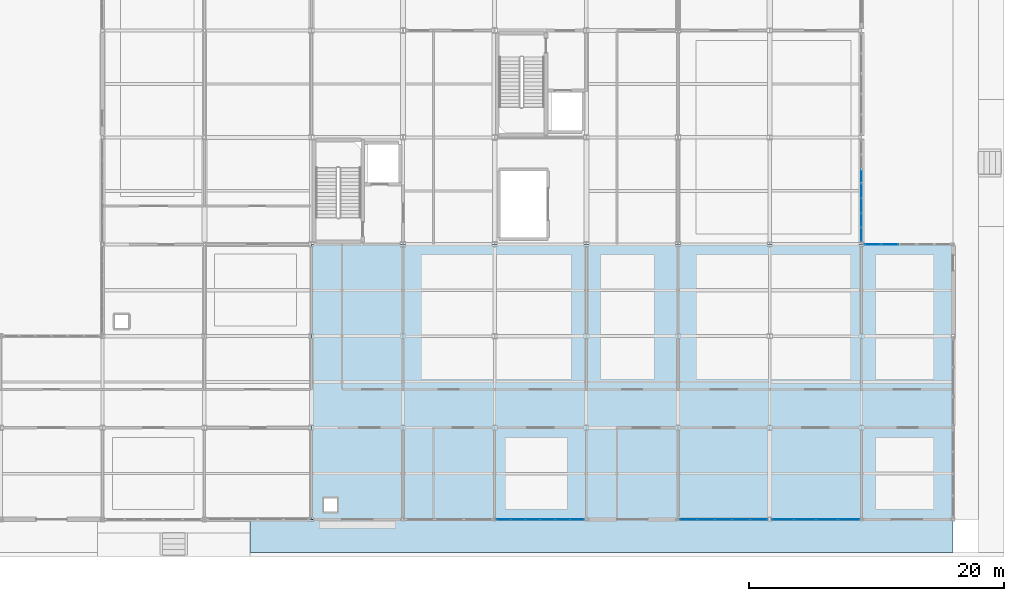
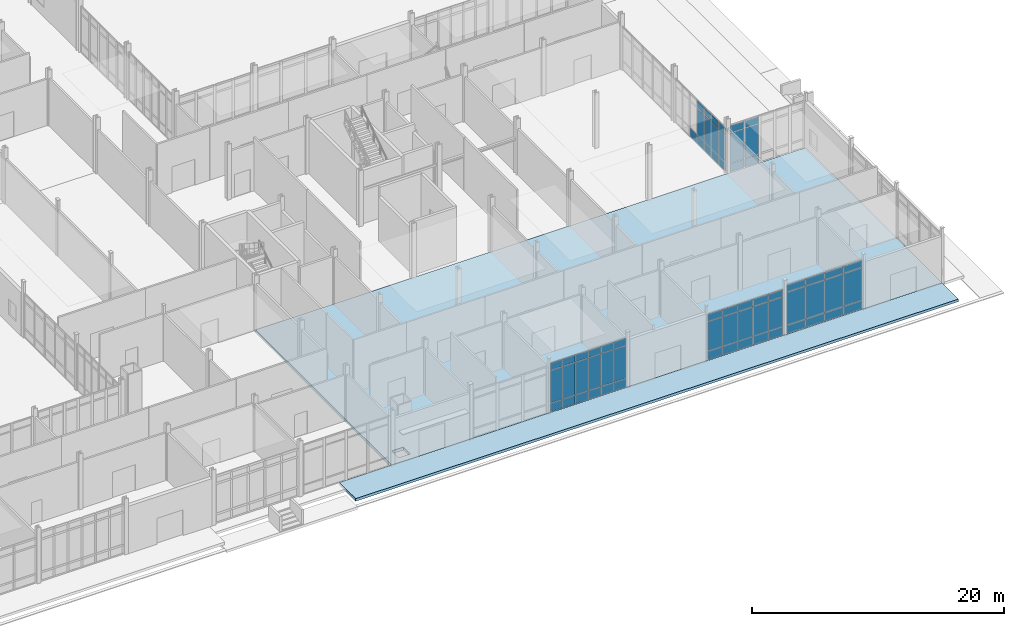
# One storey, part 154 of 229: 64 plates, 2 slabs, 5 elements without a shape of their own.
"""IFC4 building model written with IfcOpenShell, lengths in metres."""

from ifc_helpers import new_model, si_unit, direction, frame, origin, origin_2d, place, context, subcontext, project, spatial, polyline, rectangle, outline, extrude, material, layer, layer_set, type_object, element, aggregate, save


model = new_model("IFC4")

# Units and contexts
model_context = context("Model", 3, precision=1e-05, world=origin(), true_north=direction((0.0, 1.0)))
body_context = subcontext(model_context, "Body", "Model", "MODEL_VIEW")
ifc_project = project(units=[si_unit("LENGTHUNIT", "METRE"), si_unit("AREAUNIT", "SQUARE_METRE"), si_unit("VOLUMEUNIT", "CUBIC_METRE"), si_unit("PLANEANGLEUNIT", "RADIAN"), si_unit("MASSUNIT", "GRAM", prefix="KILO")], contexts=[model_context])

# Site, building, storey
site_placement = place(None, origin())
site = spatial("IfcSite", under=ifc_project, at=site_placement, CompositionType="ELEMENT")
building_placement = place(site_placement, origin())
building = spatial("IfcBuilding", under=site, at=building_placement, Name="Calvrana Isthmian Art Gallery", CompositionType="ELEMENT")
storey_placement = place(building_placement, origin())
storey = spatial("IfcBuildingStorey", under=building, at=storey_placement, Name="L00", CompositionType="ELEMENT", Elevation=0.0)

# Curtain wall, plates
ifc_material_1 = material(Name="Anodized bronze aluminium 6063-T6", Category="aluminium")
ifc_layer_1 = layer(ifc_material_1, 0.179931640625, Name="Anodized bronze aluminium 6063-T6")
ifc_layer_set_1 = layer_set([ifc_layer_1], Name="Anodized bronze aluminium 6063-T6")
curtain_wall_type_1 = type_object("IfcCurtainWallType", Name="CW-STICK-080X43", PredefinedType="NOTDEFINED", material=ifc_layer_set_1)
curtain_wall_1_placement = place(storey_placement, origin())
curtain_wall_1 = element("IfcCurtainWall", 1, at=curtain_wall_1_placement, inside=storey, type_object=curtain_wall_type_1, Name="Curtain wall CW-080", PredefinedType="NOTDEFINED")
ifc_material_2 = material(Name="Polychrome glazed terracotta", Category="masonry")
ifc_layer_2 = layer(ifc_material_2, 0.033935546875, Name="Polychrome glazed terracotta")
ifc_layer_set_2 = layer_set([ifc_layer_2], Name="Polychrome glazed terracotta")
plate_type_1 = type_object("IfcPlateType", Name="CWP-SPANDREL-34", PredefinedType="CURTAIN_PANEL", material=ifc_layer_set_2)
plate_1_placement = place(storey_placement, frame((156.0, 26.94677734375, 0.06005859375), z_axis=(0.0, 0.0, 1.0), x_axis=(0.0, -1.0, 0.0)))
plate_1 = element("IfcPlate", 2, at=plate_1_placement, type_object=plate_type_1, Name="CW-080 panel 3.1", PredefinedType="CURTAIN_PANEL", context=body_context, shape_type="SweptSolid", body=[
    extrude(rectangle(XDim=1.083740234375, YDim=0.033935546875, at=origin_2d()), origin(), (0.0, 0.0, 1.0), 0.81005859375),
])
plate_2_placement = place(storey_placement, frame((156.0, 25.79833984375, 0.06005859375), z_axis=(0.0, 0.0, 1.0), x_axis=(0.0, -1.0, 0.0)))
plate_2 = element("IfcPlate", 3, at=plate_2_placement, type_object=plate_type_1, Name="CW-080 panel 4.1", PredefinedType="CURTAIN_PANEL", context=body_context, shape_type="SweptSolid", body=[
    extrude(rectangle(XDim=1.083740234375, YDim=0.033935546875, at=origin_2d()), origin(), (0.0, 0.0, 1.0), 0.81005859375),
])
plate_3_placement = place(storey_placement, frame((156.0, 25.79833984375, 0.93017578125), z_axis=(0.0, 0.0, 1.0), x_axis=(0.0, -1.0, 0.0)))
plate_3 = element("IfcPlate", 4, at=plate_3_placement, type_object=plate_type_1, Name="CW-080 panel 4.2", PredefinedType="CURTAIN_PANEL", context=body_context, shape_type="SweptSolid", body=[
    extrude(rectangle(XDim=1.083740234375, YDim=0.033935546875, at=origin_2d()), origin(), (0.0, 0.0, 1.0), 2.573974609375),
])
plate_4_placement = place(storey_placement, frame((156.0, 25.79833984375, 3.56396484375), z_axis=(0.0, 0.0, 1.0), x_axis=(0.0, -1.0, 0.0)))
plate_4 = element("IfcPlate", 5, at=plate_4_placement, type_object=plate_type_1, Name="CW-080 panel 4.3", PredefinedType="CURTAIN_PANEL", context=body_context, shape_type="SweptSolid", body=[
    extrude(rectangle(XDim=1.083740234375, YDim=0.033935546875, at=origin_2d()), origin(), (0.0, 0.0, 1.0), 0.659912109375),
])
plate_5_placement = place(storey_placement, frame((156.0, 24.649658203125, 0.06005859375), z_axis=(0.0, 0.0, 1.0), x_axis=(0.0, -1.0, 0.0)))
plate_5 = element("IfcPlate", 6, at=plate_5_placement, type_object=plate_type_1, Name="CW-080 panel 5.1", PredefinedType="CURTAIN_PANEL", context=body_context, shape_type="SweptSolid", body=[
    extrude(rectangle(XDim=1.083740234375, YDim=0.033935546875, at=origin_2d()), origin(), (0.0, 0.0, 1.0), 0.81005859375),
])
plate_6_placement = place(storey_placement, frame((156.0, 24.649658203125, 0.93017578125), z_axis=(0.0, 0.0, 1.0), x_axis=(0.0, -1.0, 0.0)))
plate_6 = element("IfcPlate", 7, at=plate_6_placement, type_object=plate_type_1, Name="CW-080 panel 5.2", PredefinedType="CURTAIN_PANEL", context=body_context, shape_type="SweptSolid", body=[
    extrude(rectangle(XDim=1.083740234375, YDim=0.033935546875, at=origin_2d()), origin(), (0.0, 0.0, 1.0), 2.573974609375),
])
plate_7_placement = place(storey_placement, frame((156.0, 24.649658203125, 3.56396484375), z_axis=(0.0, 0.0, 1.0), x_axis=(0.0, -1.0, 0.0)))
plate_7 = element("IfcPlate", 8, at=plate_7_placement, type_object=plate_type_1, Name="CW-080 panel 5.3", PredefinedType="CURTAIN_PANEL", context=body_context, shape_type="SweptSolid", body=[
    extrude(rectangle(XDim=1.083740234375, YDim=0.033935546875, at=origin_2d()), origin(), (0.0, 0.0, 1.0), 0.659912109375),
])
plate_8_placement = place(storey_placement, frame((156.0, 23.5009765625, 0.06005859375), z_axis=(0.0, 0.0, 1.0), x_axis=(0.0, -1.0, 0.0)))
plate_8 = element("IfcPlate", 9, at=plate_8_placement, type_object=plate_type_1, Name="CW-080 panel 6.1", PredefinedType="CURTAIN_PANEL", context=body_context, shape_type="SweptSolid", body=[
    extrude(rectangle(XDim=1.083740234375, YDim=0.033935546875, at=origin_2d()), origin(), (0.0, 0.0, 1.0), 0.81005859375),
])
plate_9_placement = place(storey_placement, frame((156.0, 23.5009765625, 0.93017578125), z_axis=(0.0, 0.0, 1.0), x_axis=(0.0, -1.0, 0.0)))
plate_9 = element("IfcPlate", 10, at=plate_9_placement, type_object=plate_type_1, Name="CW-080 panel 6.2", PredefinedType="CURTAIN_PANEL", context=body_context, shape_type="SweptSolid", body=[
    extrude(rectangle(XDim=1.083740234375, YDim=0.033935546875, at=origin_2d()), origin(), (0.0, 0.0, 1.0), 2.573974609375),
])
plate_10_placement = place(storey_placement, frame((156.0, 23.5009765625, 3.56396484375), z_axis=(0.0, 0.0, 1.0), x_axis=(0.0, -1.0, 0.0)))
plate_10 = element("IfcPlate", 11, at=plate_10_placement, type_object=plate_type_1, Name="CW-080 panel 6.3", PredefinedType="CURTAIN_PANEL", context=body_context, shape_type="SweptSolid", body=[
    extrude(rectangle(XDim=1.083740234375, YDim=0.033935546875, at=origin_2d()), origin(), (0.0, 0.0, 1.0), 0.659912109375),
])
plate_11_placement = place(storey_placement, frame((156.0, 22.36865234375, 0.06005859375), z_axis=(0.0, 0.0, 1.0), x_axis=(0.0, -1.0, 0.0)))
plate_11 = element("IfcPlate", 12, at=plate_11_placement, type_object=plate_type_1, Name="CW-080 panel 7.1", PredefinedType="CURTAIN_PANEL", context=body_context, shape_type="SweptSolid", body=[
    extrude(rectangle(XDim=1.051025390625, YDim=0.033935546875, at=origin_2d()), origin(), (0.0, 0.0, 1.0), 0.81005859375),
])
plate_12_placement = place(storey_placement, frame((156.0, 22.36865234375, 0.93017578125), z_axis=(0.0, 0.0, 1.0), x_axis=(0.0, -1.0, 0.0)))
plate_12 = element("IfcPlate", 13, at=plate_12_placement, type_object=plate_type_1, Name="CW-080 panel 7.2", PredefinedType="CURTAIN_PANEL", context=body_context, shape_type="SweptSolid", body=[
    extrude(rectangle(XDim=1.051025390625, YDim=0.033935546875, at=origin_2d()), origin(), (0.0, 0.0, 1.0), 2.573974609375),
])
plate_13_placement = place(storey_placement, frame((156.0, 22.36865234375, 3.56396484375), z_axis=(0.0, 0.0, 1.0), x_axis=(0.0, -1.0, 0.0)))
plate_13 = element("IfcPlate", 14, at=plate_13_placement, type_object=plate_type_1, Name="CW-080 panel 7.3", PredefinedType="CURTAIN_PANEL", context=body_context, shape_type="SweptSolid", body=[
    extrude(rectangle(XDim=1.051025390625, YDim=0.033935546875, at=origin_2d()), origin(), (0.0, 0.0, 1.0), 0.659912109375),
])
aggregate(curtain_wall_1, [plate_1, plate_2, plate_3, plate_4, plate_5, plate_6, plate_7, plate_8, plate_9, plate_10, plate_11, plate_12, plate_13])

ifc_layer_3 = layer(ifc_material_1, 0.179931640625, Name="Anodized bronze aluminium 6063-T6")
ifc_layer_set_3 = layer_set([ifc_layer_3], Name="Anodized bronze aluminium 6063-T6")
curtain_wall_type_2 = type_object("IfcCurtainWallType", Name="CW-UNIT-070X48", PredefinedType="USERDEFINED", material=ifc_layer_set_3)
curtain_wall_2_placement = place(storey_placement, origin())
curtain_wall_2 = element("IfcCurtainWall", 15, at=curtain_wall_2_placement, inside=storey, type_object=curtain_wall_type_2, Name="Curtain wall CW-012", ObjectType="UNITISED CURTAIN WALL", PredefinedType="USERDEFINED")
ifc_material_3 = material(Name="Low-E laminated solar glass", Category="glass")
ifc_layer_4 = layer(ifc_material_3, 0.028076171875, Name="Low-E laminated solar glass")
ifc_layer_set_4 = layer_set([ifc_layer_4], Name="Low-E laminated solar glass")
plate_type_2 = type_object("IfcPlateType", Name="CWP-VISION-28", PredefinedType="CURTAIN_PANEL", material=ifc_layer_set_4)
plate_14_placement = place(storey_placement, frame((133.677001953125, 0.0, 0.06494140625), z_axis=(0.0, 0.0, 1.0), x_axis=(-1.0, 0.0, 0.0)))
plate_14 = element("IfcPlate", 16, at=plate_14_placement, type_object=plate_type_2, Name="CW-012 panel 1.1", PredefinedType="CURTAIN_PANEL", context=body_context, shape_type="SweptSolid", body=[
    extrude(rectangle(XDim=1.072021484375, YDim=0.028076171875, at=origin_2d()), origin(), (0.0, 0.0, 1.0), 0.802490234375),
])
plate_15_placement = place(storey_placement, frame((133.677001953125, 0.0, 0.9326171875), z_axis=(0.0, 0.0, 1.0), x_axis=(-1.0, 0.0, 0.0)))
plate_15 = element("IfcPlate", 17, at=plate_15_placement, type_object=plate_type_2, Name="CW-012 panel 1.2", PredefinedType="CURTAIN_PANEL", context=body_context, shape_type="SweptSolid", body=[
    extrude(rectangle(XDim=1.072021484375, YDim=0.028076171875, at=origin_2d()), origin(), (0.0, 0.0, 1.0), 3.1201171875),
])
plate_16_placement = place(storey_placement, frame((133.677001953125, 0.0, 4.11767578125), z_axis=(0.0, 0.0, 1.0), x_axis=(-1.0, 0.0, 0.0)))
plate_16 = element("IfcPlate", 18, at=plate_16_placement, type_object=plate_type_2, Name="CW-012 panel 1.3", PredefinedType="CURTAIN_PANEL", context=body_context, shape_type="SweptSolid", body=[
    extrude(rectangle(XDim=1.072021484375, YDim=0.028076171875, at=origin_2d()), origin(), (0.0, 0.0, 1.0), 0.652587890625),
])
plate_17_placement = place(storey_placement, frame((132.530029296875, 0.0, 0.06494140625), z_axis=(0.0, 0.0, 1.0), x_axis=(-1.0, 0.0, 0.0)))
plate_17 = element("IfcPlate", 19, at=plate_17_placement, type_object=plate_type_2, Name="CW-012 panel 2.1", PredefinedType="CURTAIN_PANEL", context=body_context, shape_type="SweptSolid", body=[
    extrude(rectangle(XDim=1.101806640625, YDim=0.028076171875, at=origin_2d()), origin(), (0.0, 0.0, 1.0), 0.802490234375),
])
plate_18_placement = place(storey_placement, frame((132.530029296875, 0.0, 0.9326171875), z_axis=(0.0, 0.0, 1.0), x_axis=(-1.0, 0.0, 0.0)))
plate_18 = element("IfcPlate", 20, at=plate_18_placement, type_object=plate_type_2, Name="CW-012 panel 2.2", PredefinedType="CURTAIN_PANEL", context=body_context, shape_type="SweptSolid", body=[
    extrude(rectangle(XDim=1.101806640625, YDim=0.028076171875, at=origin_2d()), origin(), (0.0, 0.0, 1.0), 3.1201171875),
])
plate_19_placement = place(storey_placement, frame((132.530029296875, 0.0, 4.11767578125), z_axis=(0.0, 0.0, 1.0), x_axis=(-1.0, 0.0, 0.0)))
plate_19 = element("IfcPlate", 21, at=plate_19_placement, type_object=plate_type_2, Name="CW-012 panel 2.3", PredefinedType="CURTAIN_PANEL", context=body_context, shape_type="SweptSolid", body=[
    extrude(rectangle(XDim=1.101806640625, YDim=0.028076171875, at=origin_2d()), origin(), (0.0, 0.0, 1.0), 0.652587890625),
])
plate_20_placement = place(storey_placement, frame((131.3681640625, 0.0, 0.06494140625), z_axis=(0.0, 0.0, 1.0), x_axis=(-1.0, 0.0, 0.0)))
plate_20 = element("IfcPlate", 22, at=plate_20_placement, type_object=plate_type_2, Name="CW-012 panel 3.1", PredefinedType="CURTAIN_PANEL", context=body_context, shape_type="SweptSolid", body=[
    extrude(rectangle(XDim=1.101806640625, YDim=0.028076171875, at=origin_2d()), origin(), (0.0, 0.0, 1.0), 0.802490234375),
])
plate_21_placement = place(storey_placement, frame((131.3681640625, 0.0, 0.9326171875), z_axis=(0.0, 0.0, 1.0), x_axis=(-1.0, 0.0, 0.0)))
plate_21 = element("IfcPlate", 23, at=plate_21_placement, type_object=plate_type_2, Name="CW-012 panel 3.2", PredefinedType="CURTAIN_PANEL", context=body_context, shape_type="SweptSolid", body=[
    extrude(rectangle(XDim=1.101806640625, YDim=0.028076171875, at=origin_2d()), origin(), (0.0, 0.0, 1.0), 3.1201171875),
])
plate_22_placement = place(storey_placement, frame((131.3681640625, 0.0, 4.11767578125), z_axis=(0.0, 0.0, 1.0), x_axis=(-1.0, 0.0, 0.0)))
plate_22 = element("IfcPlate", 24, at=plate_22_placement, type_object=plate_type_2, Name="CW-012 panel 3.3", PredefinedType="CURTAIN_PANEL", context=body_context, shape_type="SweptSolid", body=[
    extrude(rectangle(XDim=1.101806640625, YDim=0.028076171875, at=origin_2d()), origin(), (0.0, 0.0, 1.0), 0.652587890625),
])
plate_23_placement = place(storey_placement, frame((130.206298828125, 0.0, 0.06494140625), z_axis=(0.0, 0.0, 1.0), x_axis=(-1.0, 0.0, 0.0)))
plate_23 = element("IfcPlate", 25, at=plate_23_placement, type_object=plate_type_2, Name="CW-012 panel 4.1", PredefinedType="CURTAIN_PANEL", context=body_context, shape_type="SweptSolid", body=[
    extrude(rectangle(XDim=1.101806640625, YDim=0.028076171875, at=origin_2d()), origin(), (0.0, 0.0, 1.0), 0.802490234375),
])
plate_24_placement = place(storey_placement, frame((130.206298828125, 0.0, 0.9326171875), z_axis=(0.0, 0.0, 1.0), x_axis=(-1.0, 0.0, 0.0)))
plate_24 = element("IfcPlate", 26, at=plate_24_placement, type_object=plate_type_2, Name="CW-012 panel 4.2", PredefinedType="CURTAIN_PANEL", context=body_context, shape_type="SweptSolid", body=[
    extrude(rectangle(XDim=1.101806640625, YDim=0.028076171875, at=origin_2d()), origin(), (0.0, 0.0, 1.0), 3.1201171875),
])
plate_25_placement = place(storey_placement, frame((130.206298828125, 0.0, 4.11767578125), z_axis=(0.0, 0.0, 1.0), x_axis=(-1.0, 0.0, 0.0)))
plate_25 = element("IfcPlate", 27, at=plate_25_placement, type_object=plate_type_2, Name="CW-012 panel 4.3", PredefinedType="CURTAIN_PANEL", context=body_context, shape_type="SweptSolid", body=[
    extrude(rectangle(XDim=1.101806640625, YDim=0.028076171875, at=origin_2d()), origin(), (0.0, 0.0, 1.0), 0.652587890625),
])
plate_26_placement = place(storey_placement, frame((129.04443359375, 0.0, 0.06494140625), z_axis=(0.0, 0.0, 1.0), x_axis=(-1.0, 0.0, 0.0)))
plate_26 = element("IfcPlate", 28, at=plate_26_placement, type_object=plate_type_2, Name="CW-012 panel 5.1", PredefinedType="CURTAIN_PANEL", context=body_context, shape_type="SweptSolid", body=[
    extrude(rectangle(XDim=1.101806640625, YDim=0.028076171875, at=origin_2d()), origin(), (0.0, 0.0, 1.0), 0.802490234375),
])
plate_27_placement = place(storey_placement, frame((129.04443359375, 0.0, 0.9326171875), z_axis=(0.0, 0.0, 1.0), x_axis=(-1.0, 0.0, 0.0)))
plate_27 = element("IfcPlate", 29, at=plate_27_placement, type_object=plate_type_2, Name="CW-012 panel 5.2", PredefinedType="CURTAIN_PANEL", context=body_context, shape_type="SweptSolid", body=[
    extrude(rectangle(XDim=1.101806640625, YDim=0.028076171875, at=origin_2d()), origin(), (0.0, 0.0, 1.0), 3.1201171875),
])
plate_28_placement = place(storey_placement, frame((129.04443359375, 0.0, 4.11767578125), z_axis=(0.0, 0.0, 1.0), x_axis=(-1.0, 0.0, 0.0)))
plate_28 = element("IfcPlate", 30, at=plate_28_placement, type_object=plate_type_2, Name="CW-012 panel 5.3", PredefinedType="CURTAIN_PANEL", context=body_context, shape_type="SweptSolid", body=[
    extrude(rectangle(XDim=1.101806640625, YDim=0.028076171875, at=origin_2d()), origin(), (0.0, 0.0, 1.0), 0.652587890625),
])
plate_29_placement = place(storey_placement, frame((127.8974609375, 0.0, 0.06494140625), z_axis=(0.0, 0.0, 1.0), x_axis=(-1.0, 0.0, 0.0)))
plate_29 = element("IfcPlate", 31, at=plate_29_placement, type_object=plate_type_2, Name="CW-012 panel 6.1", PredefinedType="CURTAIN_PANEL", context=body_context, shape_type="SweptSolid", body=[
    extrude(rectangle(XDim=1.072021484375, YDim=0.028076171875, at=origin_2d()), origin(), (0.0, 0.0, 1.0), 0.802490234375),
])
plate_30_placement = place(storey_placement, frame((127.8974609375, 0.0, 0.9326171875), z_axis=(0.0, 0.0, 1.0), x_axis=(-1.0, 0.0, 0.0)))
plate_30 = element("IfcPlate", 32, at=plate_30_placement, type_object=plate_type_2, Name="CW-012 panel 6.2", PredefinedType="CURTAIN_PANEL", context=body_context, shape_type="SweptSolid", body=[
    extrude(rectangle(XDim=1.072021484375, YDim=0.028076171875, at=origin_2d()), origin(), (0.0, 0.0, 1.0), 3.1201171875),
])
plate_31_placement = place(storey_placement, frame((127.8974609375, 0.0, 4.11767578125), z_axis=(0.0, 0.0, 1.0), x_axis=(-1.0, 0.0, 0.0)))
plate_31 = element("IfcPlate", 33, at=plate_31_placement, type_object=plate_type_2, Name="CW-012 panel 6.3", PredefinedType="CURTAIN_PANEL", context=body_context, shape_type="SweptSolid", body=[
    extrude(rectangle(XDim=1.072021484375, YDim=0.028076171875, at=origin_2d()), origin(), (0.0, 0.0, 1.0), 0.652587890625),
])
aggregate(curtain_wall_2, [plate_14, plate_15, plate_16, plate_17, plate_18, plate_19, plate_20, plate_21, plate_22, plate_23, plate_24, plate_25, plate_26, plate_27, plate_28, plate_29, plate_30, plate_31])

ifc_layer_5 = layer(ifc_material_1, 0.179931640625, Name="Anodized bronze aluminium 6063-T6")
ifc_layer_set_5 = layer_set([ifc_layer_5], Name="Anodized bronze aluminium 6063-T6")
curtain_wall_type_3 = type_object("IfcCurtainWallType", Name="CW-UNIT-069X45", PredefinedType="USERDEFINED", material=ifc_layer_set_5)
curtain_wall_3_placement = place(storey_placement, origin())
curtain_wall_3 = element("IfcCurtainWall", 34, at=curtain_wall_3_placement, inside=storey, type_object=curtain_wall_type_3, Name="Curtain wall CW-013", ObjectType="UNITISED CURTAIN WALL", PredefinedType="USERDEFINED")
plate_32_placement = place(storey_placement, frame((147.93798828125, 0.0, 0.070068359375), z_axis=(0.0, 0.0, 1.0), x_axis=(-1.0, 0.0, 0.0)))
plate_32 = element("IfcPlate", 35, at=plate_32_placement, type_object=plate_type_2, Name="CW-013 panel 1.1", PredefinedType="CURTAIN_PANEL", context=body_context, shape_type="SweptSolid", body=[
    extrude(rectangle(XDim=1.29931640625, YDim=0.028076171875, at=origin_2d()), origin(), (0.0, 0.0, 1.0), 0.794921875),
])
plate_33_placement = place(storey_placement, frame((147.93798828125, 0.0, 0.93505859375), z_axis=(0.0, 0.0, 1.0), x_axis=(-1.0, 0.0, 0.0)))
plate_33 = element("IfcPlate", 36, at=plate_33_placement, type_object=plate_type_2, Name="CW-013 panel 1.2", PredefinedType="CURTAIN_PANEL", context=body_context, shape_type="SweptSolid", body=[
    extrude(rectangle(XDim=1.29931640625, YDim=0.028076171875, at=origin_2d()), origin(), (0.0, 0.0, 1.0), 2.81298828125),
])
plate_34_placement = place(storey_placement, frame((147.93798828125, 0.0, 3.81787109375), z_axis=(0.0, 0.0, 1.0), x_axis=(-1.0, 0.0, 0.0)))
plate_34 = element("IfcPlate", 37, at=plate_34_placement, type_object=plate_type_2, Name="CW-013 panel 1.3", PredefinedType="CURTAIN_PANEL", context=body_context, shape_type="SweptSolid", body=[
    extrude(rectangle(XDim=1.29931640625, YDim=0.028076171875, at=origin_2d()), origin(), (0.0, 0.0, 1.0), 0.64501953125),
])
plate_35_placement = place(storey_placement, frame((146.563720703125, 0.0, 0.070068359375), z_axis=(0.0, 0.0, 1.0), x_axis=(-1.0, 0.0, 0.0)))
plate_35 = element("IfcPlate", 38, at=plate_35_placement, type_object=plate_type_2, Name="CW-013 panel 2.1", PredefinedType="CURTAIN_PANEL", context=body_context, shape_type="SweptSolid", body=[
    extrude(rectangle(XDim=1.3291015625, YDim=0.028076171875, at=origin_2d()), origin(), (0.0, 0.0, 1.0), 0.794921875),
])
plate_36_placement = place(storey_placement, frame((146.563720703125, 0.0, 0.93505859375), z_axis=(0.0, 0.0, 1.0), x_axis=(-1.0, 0.0, 0.0)))
plate_36 = element("IfcPlate", 39, at=plate_36_placement, type_object=plate_type_2, Name="CW-013 panel 2.2", PredefinedType="CURTAIN_PANEL", context=body_context, shape_type="SweptSolid", body=[
    extrude(rectangle(XDim=1.3291015625, YDim=0.028076171875, at=origin_2d()), origin(), (0.0, 0.0, 1.0), 2.81298828125),
])
plate_37_placement = place(storey_placement, frame((146.563720703125, 0.0, 3.81787109375), z_axis=(0.0, 0.0, 1.0), x_axis=(-1.0, 0.0, 0.0)))
plate_37 = element("IfcPlate", 40, at=plate_37_placement, type_object=plate_type_2, Name="CW-013 panel 2.3", PredefinedType="CURTAIN_PANEL", context=body_context, shape_type="SweptSolid", body=[
    extrude(rectangle(XDim=1.3291015625, YDim=0.028076171875, at=origin_2d()), origin(), (0.0, 0.0, 1.0), 0.64501953125),
])
plate_38_placement = place(storey_placement, frame((145.174560546875, 0.0, 0.070068359375), z_axis=(0.0, 0.0, 1.0), x_axis=(-1.0, 0.0, 0.0)))
plate_38 = element("IfcPlate", 41, at=plate_38_placement, type_object=plate_type_2, Name="CW-013 panel 3.1", PredefinedType="CURTAIN_PANEL", context=body_context, shape_type="SweptSolid", body=[
    extrude(rectangle(XDim=1.3291015625, YDim=0.028076171875, at=origin_2d()), origin(), (0.0, 0.0, 1.0), 0.794921875),
])
plate_39_placement = place(storey_placement, frame((145.174560546875, 0.0, 0.93505859375), z_axis=(0.0, 0.0, 1.0), x_axis=(-1.0, 0.0, 0.0)))
plate_39 = element("IfcPlate", 42, at=plate_39_placement, type_object=plate_type_2, Name="CW-013 panel 3.2", PredefinedType="CURTAIN_PANEL", context=body_context, shape_type="SweptSolid", body=[
    extrude(rectangle(XDim=1.3291015625, YDim=0.028076171875, at=origin_2d()), origin(), (0.0, 0.0, 1.0), 2.81298828125),
])
plate_40_placement = place(storey_placement, frame((145.174560546875, 0.0, 3.81787109375), z_axis=(0.0, 0.0, 1.0), x_axis=(-1.0, 0.0, 0.0)))
plate_40 = element("IfcPlate", 43, at=plate_40_placement, type_object=plate_type_2, Name="CW-013 panel 3.3", PredefinedType="CURTAIN_PANEL", context=body_context, shape_type="SweptSolid", body=[
    extrude(rectangle(XDim=1.3291015625, YDim=0.028076171875, at=origin_2d()), origin(), (0.0, 0.0, 1.0), 0.64501953125),
])
plate_41_placement = place(storey_placement, frame((143.785400390625, 0.0, 0.070068359375), z_axis=(0.0, 0.0, 1.0), x_axis=(-1.0, 0.0, 0.0)))
plate_41 = element("IfcPlate", 44, at=plate_41_placement, type_object=plate_type_2, Name="CW-013 panel 4.1", PredefinedType="CURTAIN_PANEL", context=body_context, shape_type="SweptSolid", body=[
    extrude(rectangle(XDim=1.3291015625, YDim=0.028076171875, at=origin_2d()), origin(), (0.0, 0.0, 1.0), 0.794921875),
])
plate_42_placement = place(storey_placement, frame((143.785400390625, 0.0, 0.93505859375), z_axis=(0.0, 0.0, 1.0), x_axis=(-1.0, 0.0, 0.0)))
plate_42 = element("IfcPlate", 45, at=plate_42_placement, type_object=plate_type_2, Name="CW-013 panel 4.2", PredefinedType="CURTAIN_PANEL", context=body_context, shape_type="SweptSolid", body=[
    extrude(rectangle(XDim=1.3291015625, YDim=0.028076171875, at=origin_2d()), origin(), (0.0, 0.0, 1.0), 2.81298828125),
])
plate_43_placement = place(storey_placement, frame((143.785400390625, 0.0, 3.81787109375), z_axis=(0.0, 0.0, 1.0), x_axis=(-1.0, 0.0, 0.0)))
plate_43 = element("IfcPlate", 46, at=plate_43_placement, type_object=plate_type_2, Name="CW-013 panel 4.3", PredefinedType="CURTAIN_PANEL", context=body_context, shape_type="SweptSolid", body=[
    extrude(rectangle(XDim=1.3291015625, YDim=0.028076171875, at=origin_2d()), origin(), (0.0, 0.0, 1.0), 0.64501953125),
])
plate_44_placement = place(storey_placement, frame((142.4111328125, 0.0, 0.070068359375), z_axis=(0.0, 0.0, 1.0), x_axis=(-1.0, 0.0, 0.0)))
plate_44 = element("IfcPlate", 47, at=plate_44_placement, type_object=plate_type_2, Name="CW-013 panel 5.1", PredefinedType="CURTAIN_PANEL", context=body_context, shape_type="SweptSolid", body=[
    extrude(rectangle(XDim=1.29931640625, YDim=0.028076171875, at=origin_2d()), origin(), (0.0, 0.0, 1.0), 0.794921875),
])
plate_45_placement = place(storey_placement, frame((142.4111328125, 0.0, 0.93505859375), z_axis=(0.0, 0.0, 1.0), x_axis=(-1.0, 0.0, 0.0)))
plate_45 = element("IfcPlate", 48, at=plate_45_placement, type_object=plate_type_2, Name="CW-013 panel 5.2", PredefinedType="CURTAIN_PANEL", context=body_context, shape_type="SweptSolid", body=[
    extrude(rectangle(XDim=1.29931640625, YDim=0.028076171875, at=origin_2d()), origin(), (0.0, 0.0, 1.0), 2.81298828125),
])
plate_46_placement = place(storey_placement, frame((142.4111328125, 0.0, 3.81787109375), z_axis=(0.0, 0.0, 1.0), x_axis=(-1.0, 0.0, 0.0)))
plate_46 = element("IfcPlate", 49, at=plate_46_placement, type_object=plate_type_2, Name="CW-013 panel 5.3", PredefinedType="CURTAIN_PANEL", context=body_context, shape_type="SweptSolid", body=[
    extrude(rectangle(XDim=1.29931640625, YDim=0.028076171875, at=origin_2d()), origin(), (0.0, 0.0, 1.0), 0.64501953125),
])
aggregate(curtain_wall_3, [plate_32, plate_33, plate_34, plate_35, plate_36, plate_37, plate_38, plate_39, plate_40, plate_41, plate_42, plate_43, plate_44, plate_45, plate_46])

ifc_layer_6 = layer(ifc_material_1, 0.179931640625, Name="Anodized bronze aluminium 6063-T6")
ifc_layer_set_6 = layer_set([ifc_layer_6], Name="Anodized bronze aluminium 6063-T6")
curtain_wall_type_4 = type_object("IfcCurtainWallType", Name="CW-STICK-069X48", PredefinedType="NOTDEFINED", material=ifc_layer_set_6)
curtain_wall_4_placement = place(storey_placement, origin())
curtain_wall_4 = element("IfcCurtainWall", 50, at=curtain_wall_4_placement, inside=storey, type_object=curtain_wall_type_4, Name="Curtain wall CW-014", PredefinedType="NOTDEFINED")
plate_47_placement = place(storey_placement, frame((155.013916015625, 0.0, 0.074951171875), z_axis=(0.0, 0.0, 1.0), x_axis=(-1.0, 0.0, 0.0)))
plate_47 = element("IfcPlate", 51, at=plate_47_placement, type_object=plate_type_2, Name="CW-014 panel 1.1", PredefinedType="CURTAIN_PANEL", context=body_context, shape_type="SweptSolid", body=[
    extrude(rectangle(XDim=1.638916015625, YDim=0.028076171875, at=origin_2d()), origin(), (0.0, 0.0, 1.0), 0.78759765625),
])
plate_48_placement = place(storey_placement, frame((155.013916015625, 0.0, 0.9375), z_axis=(0.0, 0.0, 1.0), x_axis=(-1.0, 0.0, 0.0)))
plate_48 = element("IfcPlate", 52, at=plate_48_placement, type_object=plate_type_2, Name="CW-014 panel 1.2", PredefinedType="CURTAIN_PANEL", context=body_context, shape_type="SweptSolid", body=[
    extrude(rectangle(XDim=1.638916015625, YDim=0.028076171875, at=origin_2d()), origin(), (0.0, 0.0, 1.0), 3.110107421875),
])
plate_49_placement = place(storey_placement, frame((155.013916015625, 0.0, 4.12255859375), z_axis=(0.0, 0.0, 1.0), x_axis=(-1.0, 0.0, 0.0)))
plate_49 = element("IfcPlate", 53, at=plate_49_placement, type_object=plate_type_2, Name="CW-014 panel 1.3", PredefinedType="CURTAIN_PANEL", context=body_context, shape_type="SweptSolid", body=[
    extrude(rectangle(XDim=1.638916015625, YDim=0.028076171875, at=origin_2d()), origin(), (0.0, 0.0, 1.0), 0.637451171875),
])
plate_50_placement = place(storey_placement, frame((153.293701171875, 0.0, 0.074951171875), z_axis=(0.0, 0.0, 1.0), x_axis=(-1.0, 0.0, 0.0)))
plate_50 = element("IfcPlate", 54, at=plate_50_placement, type_object=plate_type_2, Name="CW-014 panel 2.1", PredefinedType="CURTAIN_PANEL", context=body_context, shape_type="SweptSolid", body=[
    extrude(rectangle(XDim=1.67138671875, YDim=0.028076171875, at=origin_2d()), origin(), (0.0, 0.0, 1.0), 0.78759765625),
])
plate_51_placement = place(storey_placement, frame((153.293701171875, 0.0, 0.9375), z_axis=(0.0, 0.0, 1.0), x_axis=(-1.0, 0.0, 0.0)))
plate_51 = element("IfcPlate", 55, at=plate_51_placement, type_object=plate_type_2, Name="CW-014 panel 2.2", PredefinedType="CURTAIN_PANEL", context=body_context, shape_type="SweptSolid", body=[
    extrude(rectangle(XDim=1.67138671875, YDim=0.028076171875, at=origin_2d()), origin(), (0.0, 0.0, 1.0), 3.110107421875),
])
plate_52_placement = place(storey_placement, frame((153.293701171875, 0.0, 4.12255859375), z_axis=(0.0, 0.0, 1.0), x_axis=(-1.0, 0.0, 0.0)))
plate_52 = element("IfcPlate", 56, at=plate_52_placement, type_object=plate_type_2, Name="CW-014 panel 2.3", PredefinedType="CURTAIN_PANEL", context=body_context, shape_type="SweptSolid", body=[
    extrude(rectangle(XDim=1.67138671875, YDim=0.028076171875, at=origin_2d()), origin(), (0.0, 0.0, 1.0), 0.637451171875),
])
plate_53_placement = place(storey_placement, frame((151.55712890625, 0.0, 0.074951171875), z_axis=(0.0, 0.0, 1.0), x_axis=(-1.0, 0.0, 0.0)))
plate_53 = element("IfcPlate", 57, at=plate_53_placement, type_object=plate_type_2, Name="CW-014 panel 3.1", PredefinedType="CURTAIN_PANEL", context=body_context, shape_type="SweptSolid", body=[
    extrude(rectangle(XDim=1.67138671875, YDim=0.028076171875, at=origin_2d()), origin(), (0.0, 0.0, 1.0), 0.78759765625),
])
plate_54_placement = place(storey_placement, frame((151.55712890625, 0.0, 0.9375), z_axis=(0.0, 0.0, 1.0), x_axis=(-1.0, 0.0, 0.0)))
plate_54 = element("IfcPlate", 58, at=plate_54_placement, type_object=plate_type_2, Name="CW-014 panel 3.2", PredefinedType="CURTAIN_PANEL", context=body_context, shape_type="SweptSolid", body=[
    extrude(rectangle(XDim=1.67138671875, YDim=0.028076171875, at=origin_2d()), origin(), (0.0, 0.0, 1.0), 3.110107421875),
])
plate_55_placement = place(storey_placement, frame((151.55712890625, 0.0, 4.12255859375), z_axis=(0.0, 0.0, 1.0), x_axis=(-1.0, 0.0, 0.0)))
plate_55 = element("IfcPlate", 59, at=plate_55_placement, type_object=plate_type_2, Name="CW-014 panel 3.3", PredefinedType="CURTAIN_PANEL", context=body_context, shape_type="SweptSolid", body=[
    extrude(rectangle(XDim=1.67138671875, YDim=0.028076171875, at=origin_2d()), origin(), (0.0, 0.0, 1.0), 0.637451171875),
])
plate_56_placement = place(storey_placement, frame((149.8369140625, 0.0, 0.074951171875), z_axis=(0.0, 0.0, 1.0), x_axis=(-1.0, 0.0, 0.0)))
plate_56 = element("IfcPlate", 60, at=plate_56_placement, type_object=plate_type_2, Name="CW-014 panel 4.1", PredefinedType="CURTAIN_PANEL", context=body_context, shape_type="SweptSolid", body=[
    extrude(rectangle(XDim=1.638916015625, YDim=0.028076171875, at=origin_2d()), origin(), (0.0, 0.0, 1.0), 0.78759765625),
])
plate_57_placement = place(storey_placement, frame((149.8369140625, 0.0, 0.9375), z_axis=(0.0, 0.0, 1.0), x_axis=(-1.0, 0.0, 0.0)))
plate_57 = element("IfcPlate", 61, at=plate_57_placement, type_object=plate_type_2, Name="CW-014 panel 4.2", PredefinedType="CURTAIN_PANEL", context=body_context, shape_type="SweptSolid", body=[
    extrude(rectangle(XDim=1.638916015625, YDim=0.028076171875, at=origin_2d()), origin(), (0.0, 0.0, 1.0), 3.110107421875),
])
plate_58_placement = place(storey_placement, frame((149.8369140625, 0.0, 4.12255859375), z_axis=(0.0, 0.0, 1.0), x_axis=(-1.0, 0.0, 0.0)))
plate_58 = element("IfcPlate", 62, at=plate_58_placement, type_object=plate_type_2, Name="CW-014 panel 4.3", PredefinedType="CURTAIN_PANEL", context=body_context, shape_type="SweptSolid", body=[
    extrude(rectangle(XDim=1.638916015625, YDim=0.028076171875, at=origin_2d()), origin(), (0.0, 0.0, 1.0), 0.637451171875),
])
aggregate(curtain_wall_4, [plate_47, plate_48, plate_49, plate_50, plate_51, plate_52, plate_53, plate_54, plate_55, plate_56, plate_57, plate_58])

ifc_layer_7 = layer(ifc_material_1, 0.179931640625, Name="Anodized bronze aluminium 6063-T6")
ifc_layer_set_7 = layer_set([ifc_layer_7], Name="Anodized bronze aluminium 6063-T6")
curtain_wall_type_5 = type_object("IfcCurtainWallType", Name="CW-STICK-069X46", PredefinedType="NOTDEFINED", material=ifc_layer_set_7)
curtain_wall_5_placement = place(storey_placement, origin())
curtain_wall_5 = element("IfcCurtainWall", 63, at=curtain_wall_5_placement, inside=storey, type_object=curtain_wall_type_5, Name="Curtain wall CW-017", PredefinedType="NOTDEFINED")
plate_59_placement = place(storey_placement, frame((156.8955078125, 21.60009765625, 0.06494140625), z_axis=(0.0, 0.0, 1.0), x_axis=(1.0, 0.0, 0.0)))
plate_59 = element("IfcPlate", 64, at=plate_59_placement, type_object=plate_type_2, Name="CW-017 panel 1.1", PredefinedType="CURTAIN_PANEL", context=body_context, shape_type="SweptSolid", body=[
    extrude(rectangle(XDim=1.262939453125, YDim=0.028076171875, at=origin_2d()), origin(), (0.0, 0.0, 1.0), 0.802490234375),
])
plate_60_placement = place(storey_placement, frame((156.8955078125, 21.60009765625, 0.9326171875), z_axis=(0.0, 0.0, 1.0), x_axis=(1.0, 0.0, 0.0)))
plate_60 = element("IfcPlate", 65, at=plate_60_placement, type_object=plate_type_2, Name="CW-017 panel 1.2", PredefinedType="CURTAIN_PANEL", context=body_context, shape_type="SweptSolid", body=[
    extrude(rectangle(XDim=1.262939453125, YDim=0.028076171875, at=origin_2d()), origin(), (0.0, 0.0, 1.0), 2.8759765625),
])
plate_61_placement = place(storey_placement, frame((156.8955078125, 21.60009765625, 3.87353515625), z_axis=(0.0, 0.0, 1.0), x_axis=(1.0, 0.0, 0.0)))
plate_61 = element("IfcPlate", 66, at=plate_61_placement, type_object=plate_type_2, Name="CW-017 panel 1.3", PredefinedType="CURTAIN_PANEL", context=body_context, shape_type="SweptSolid", body=[
    extrude(rectangle(XDim=1.262939453125, YDim=0.028076171875, at=origin_2d()), origin(), (0.0, 0.0, 1.0), 0.652587890625),
])
plate_62_placement = place(storey_placement, frame((158.25830078125, 21.60009765625, 0.06494140625), z_axis=(0.0, 0.0, 1.0), x_axis=(1.0, 0.0, 0.0)))
plate_62 = element("IfcPlate", 67, at=plate_62_placement, type_object=plate_type_2, Name="CW-017 panel 2.1", PredefinedType="CURTAIN_PANEL", context=body_context, shape_type="SweptSolid", body=[
    extrude(rectangle(XDim=1.302978515625, YDim=0.028076171875, at=origin_2d()), origin(), (0.0, 0.0, 1.0), 0.802490234375),
])
plate_63_placement = place(storey_placement, frame((158.25830078125, 21.60009765625, 0.9326171875), z_axis=(0.0, 0.0, 1.0), x_axis=(1.0, 0.0, 0.0)))
plate_63 = element("IfcPlate", 68, at=plate_63_placement, type_object=plate_type_2, Name="CW-017 panel 2.2", PredefinedType="CURTAIN_PANEL", context=body_context, shape_type="SweptSolid", body=[
    extrude(rectangle(XDim=1.302978515625, YDim=0.028076171875, at=origin_2d()), origin(), (0.0, 0.0, 1.0), 2.8759765625),
])
plate_64_placement = place(storey_placement, frame((158.25830078125, 21.60009765625, 3.87353515625), z_axis=(0.0, 0.0, 1.0), x_axis=(1.0, 0.0, 0.0)))
plate_64 = element("IfcPlate", 69, at=plate_64_placement, type_object=plate_type_2, Name="CW-017 panel 2.3", PredefinedType="CURTAIN_PANEL", context=body_context, shape_type="SweptSolid", body=[
    extrude(rectangle(XDim=1.302978515625, YDim=0.028076171875, at=origin_2d()), origin(), (0.0, 0.0, 1.0), 0.652587890625),
])
aggregate(curtain_wall_5, [plate_59, plate_60, plate_61, plate_62, plate_63, plate_64])

# Slabs
ifc_material_4 = material(Name="Concrete C40/50", Category="concrete")
ifc_layer_8 = layer(ifc_material_4, 0.280029296875, Name="Concrete C40/50")
ifc_layer_set_8 = layer_set([ifc_layer_8], Name="Concrete C40/50")
slab_type_1 = type_object("IfcSlabType", Name="SLB-GAL-280", PredefinedType="FLOOR", material=ifc_layer_set_8)
slab_1_placement = place(storey_placement, frame((0.0, 0.0, -0.280029296875)))
element("IfcSlab", 70, at=slab_1_placement, inside=storey, type_object=slab_type_1, Name="Floor slab V4S_L00", PredefinedType="FLOOR", context=body_context, shape_type="SweptSolid", body=[
    extrude(outline(polyline([(112.800048828125, 0.0), (163.199951171875, 0.0), (163.199951171875, 21.60009765625), (112.800048828125, 21.60009765625), (112.800048828125, 0.0)]), holes=[polyline([(113.760009765625, 0.60009765625), (114.840087890625, 0.60009765625), (114.840087890625, 1.679931640625), (113.760009765625, 1.679931640625), (113.760009765625, 0.60009765625)])]), origin(), (0.0, 0.0, 1.0), 0.280029296875),
])
ifc_layer_9 = layer(ifc_material_4, 0.199951171875, Name="Concrete C40/50")
ifc_layer_set_9 = layer_set([ifc_layer_9], Name="Concrete C40/50")
slab_type_2 = type_object("IfcSlabType", Name="SLB-TER-200", PredefinedType="FLOOR", material=ifc_layer_set_9)
slab_2_placement = place(storey_placement, frame((0.0, 0.0, -0.25)))
element("IfcSlab", 71, at=slab_2_placement, inside=storey, type_object=slab_type_2, Name="Courtyard and entry plaza deck SLB_APR_SE_E", PredefinedType="FLOOR", context=body_context, shape_type="SweptSolid", body=[
    extrude(outline(polyline([(163.199951171875, -2.60009765625), (163.199951171875, 0.0), (108.0, 0.0), (108.0, -2.60009765625), (163.199951171875, -2.60009765625)])), origin(), (0.0, 0.0, 1.0), 0.25),
])

save(model, "model.ifc")
